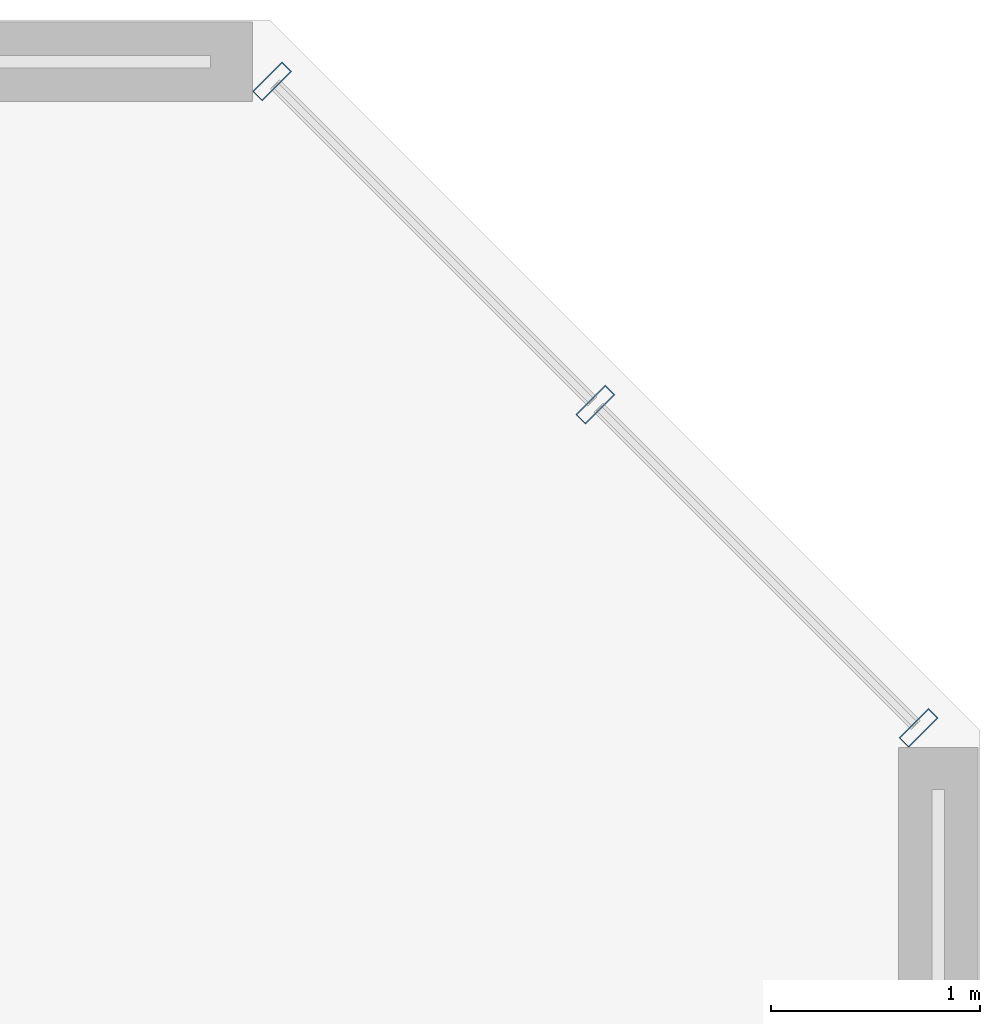
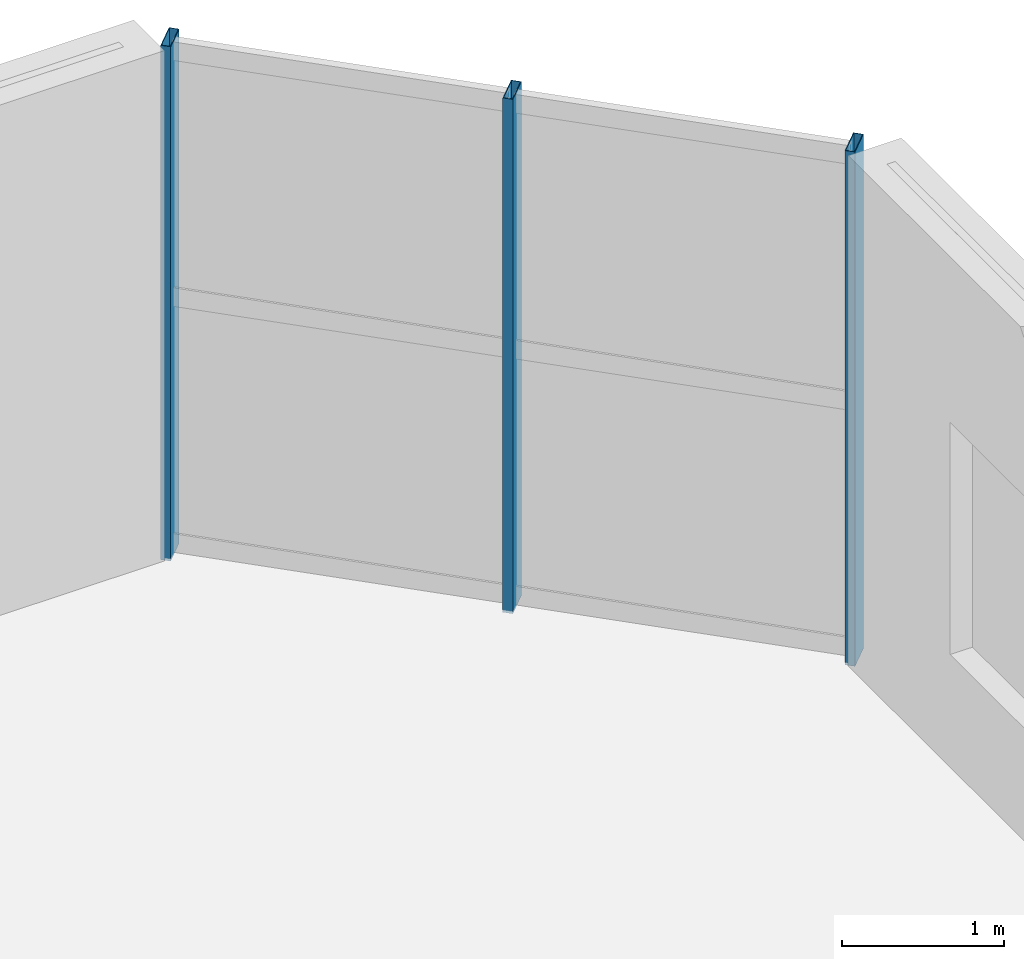
# One storey, part 8 of 22: 3 members, 1 element without a shape of its own.
"""IFC4 building model written with IfcOpenShell, lengths in metres."""

from ifc_helpers import new_model, si_unit, direction, frame, origin, origin_2d, place, context, subcontext, project, spatial, hollow_rectangle, extrude, source, transform, mapped, material, material_profile, profile_set, type_object, element, aggregate, save


model = new_model("IFC4")

# Units and contexts
model_context = context("Model", 3, precision=1e-05, world=origin(), true_north=direction((0.0, 1.0)))
body_context = subcontext(model_context, "Body", "Model", "MODEL_VIEW")
ifc_project = project(units=[si_unit("LENGTHUNIT", "METRE"), si_unit("AREAUNIT", "SQUARE_METRE"), si_unit("VOLUMEUNIT", "CUBIC_METRE"), si_unit("PLANEANGLEUNIT", "RADIAN"), si_unit("MASSUNIT", "GRAM", prefix="KILO")], contexts=[model_context])

# Site, building, storey
site_placement = place(None, origin())
site = spatial("IfcSite", under=ifc_project, at=site_placement, CompositionType="ELEMENT")
building_placement = place(site_placement, origin())
building = spatial("IfcBuilding", under=site, at=building_placement, Name="Tlacorven Tower", CompositionType="ELEMENT")
storey_placement = place(building_placement, frame((0.0, 0.0, 14.39990234375)))
storey = spatial("IfcBuildingStorey", under=building, at=storey_placement, Name="L03", CompositionType="ELEMENT", Elevation=14.39990234375)

# Curtain wall, members
ifc_material_1 = material(Name="Dark solar low-E double glazing in aluminium frame", Category="aluminium")
curtain_wall_type = type_object("IfcCurtainWallType", Name="CW-POD-CLINIC", PredefinedType="USERDEFINED", material=ifc_material_1)
curtain_wall_placement = place(storey_placement, origin())
curtain_wall = element("IfcCurtainWall", 1, at=curtain_wall_placement, inside=storey, type_object=curtain_wall_type, Name="L03 Podium Chamfer Curtain Wall 5", ObjectType="UNITISED CURTAIN WALL", PredefinedType="USERDEFINED")
ifc_material_2 = material(Name="Aluminium 6063-T6 anodised", Category="aluminium")
ifc_material_profile = material_profile(ifc_material_2, hollow_rectangle(XDim=0.06494140625, YDim=0.199951171875, WallThickness=0.00439453125, at=origin_2d()), Name="ALU MULLION 65X200")
ifc_profile_set = profile_set([ifc_material_profile], Name="Aluminium 6063-T6 anodised")
member_type = type_object("IfcMemberType", Name="CWM-02", PredefinedType="MULLION", material=ifc_profile_set)
shared_shape = source(origin(), body_context, "Body", "SweptSolid", [
    extrude(hollow_rectangle(XDim=0.06494140625, YDim=0.199951171875, WallThickness=0.00439453125, at=origin_2d()), origin(), (0.0, 0.0, 1.0), 3.880126953125),
])
member_1_placement = place(storey_placement, frame((67.2109375, 46.306396484375, -0.02001953125), z_axis=(0.0, 0.0, 1.0), x_axis=(0.707106781187, -0.707106781187, 0.0)))
member_1 = element("IfcMember", 2, at=member_1_placement, type_object=member_type, Name="CW-L03-015 Mullion 1", PredefinedType="MULLION", context=body_context, shape_type="MappedRepresentation", body=[
    mapped(shared_shape, transform((0.0, 0.0, 0.0), scale=1.0)),
])
member_2_placement = place(storey_placement, frame((68.758544921875, 44.758544921875, -0.02001953125), z_axis=(0.0, 0.0, 1.0), x_axis=(0.707106781187, -0.707106781187, 0.0)))
member_2 = element("IfcMember", 3, at=member_2_placement, type_object=member_type, Name="CW-L03-015 Mullion 2", PredefinedType="MULLION", context=body_context, shape_type="MappedRepresentation", body=[
    mapped(shared_shape, transform((0.0, 0.0, 0.0), scale=1.0)),
])
member_3_placement = place(storey_placement, frame((70.306396484375, 43.2109375, -0.02001953125), z_axis=(0.0, 0.0, 1.0), x_axis=(0.707106781187, -0.707106781187, 0.0)))
member_3 = element("IfcMember", 4, at=member_3_placement, type_object=member_type, Name="CW-L03-015 Mullion 3", PredefinedType="MULLION", context=body_context, shape_type="MappedRepresentation", body=[
    mapped(shared_shape, transform((0.0, 0.0, 0.0), scale=1.0)),
])
aggregate(curtain_wall, [member_1, member_2, member_3])

save(model, "model.ifc")
